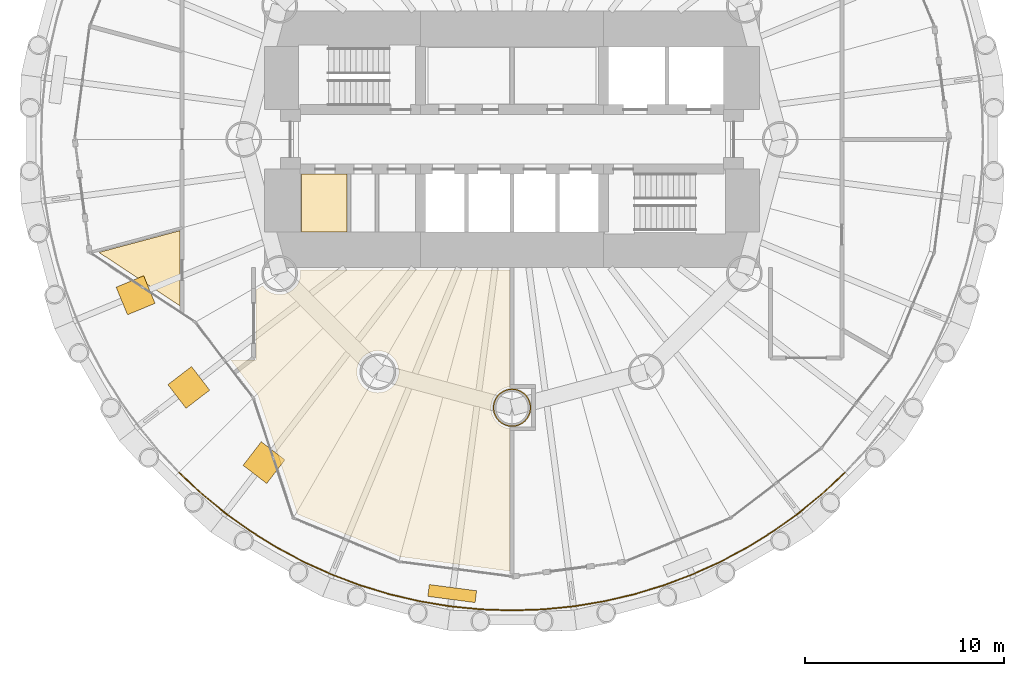
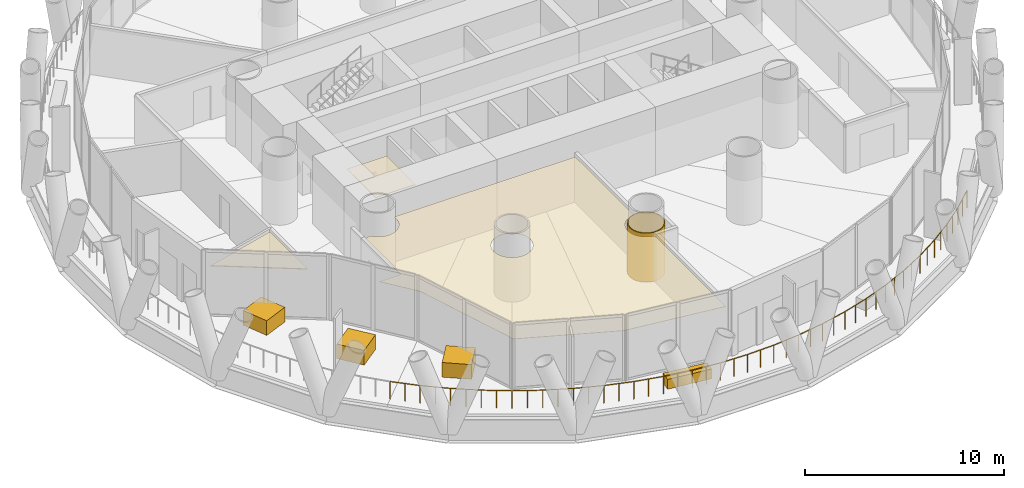
# One storey, part 11 of 14: 8 coverings, 1 railing.
"""IFC4 building model written with IfcOpenShell, lengths in metres."""

from ifc_helpers import new_model, si_unit, direction, frame, origin, origin_2d, place, context, subcontext, project, spatial, polyline, rectangle, circle, outline, extrude, material, layer, layer_set, type_object, element, save


model = new_model("IFC4")

# Units and contexts
model_context = context("Model", 3, precision=1e-05, world=origin(), true_north=direction((0.0, 1.0)))
body_context = subcontext(model_context, "Body", "Model", "MODEL_VIEW")
ifc_project = project(units=[si_unit("LENGTHUNIT", "METRE"), si_unit("AREAUNIT", "SQUARE_METRE"), si_unit("VOLUMEUNIT", "CUBIC_METRE"), si_unit("PLANEANGLEUNIT", "RADIAN"), si_unit("MASSUNIT", "GRAM", prefix="KILO")], contexts=[model_context])

# Site, building, storey
site_placement = place(None, origin())
site = spatial("IfcSite", under=ifc_project, at=site_placement, CompositionType="ELEMENT")
building_placement = place(site_placement, origin())
building = spatial("IfcBuilding", under=site, at=building_placement, Name="Qaws Media Tower", CompositionType="ELEMENT")
storey_placement = place(building_placement, frame((0.0, 0.0, 185.60009765625)))
storey = spatial("IfcBuildingStorey", under=building, at=storey_placement, Name="L42", CompositionType="ELEMENT", Elevation=185.60009765625)

# Covering
ifc_material_1 = material(Name="40 perforated acoustic panels with mineral wool backing, suspended", Category="mineral fibre")
ifc_layer_1 = layer(ifc_material_1, 0.0400390625)
ifc_layer_set_1 = layer_set([ifc_layer_1], Name="Acoustic panel ceiling 40")
covering_type_1 = type_object("IfcCoveringType", Name="Acoustic panel ceiling 40", PredefinedType="CEILING", material=ifc_layer_set_1)
covering_1_placement = place(storey_placement, frame((0.0, 0.0, 2.849853515625)))
element("IfcCovering", 1, at=covering_1_placement, inside=storey, type_object=covering_type_1, Name="CL3 ceiling L42-05 Meeting room", PredefinedType="CEILING", context=body_context, shape_type="SweptSolid", body=[
    extrude(outline(polyline([(43.28759765625, 45.405517578125), (43.28759765625, 41.62744140625), (39.214111328125, 44.31396484375), (43.28759765625, 45.405517578125)])), origin(), (0.0, 0.0, 1.0), 0.0400390625),
])

# Railing
ifc_material_2 = material(Name="Stainless steel and glass guard", Category="steel")
railing_type = type_object("IfcRailingType", Name="Balcony guard 1100", PredefinedType="GUARDRAIL", material=ifc_material_2)
railing_placement = place(storey_placement, frame((43.241455078125, 33.241455078125, 0.0)))
element("IfcRailing", 2, at=railing_placement, inside=storey, type_object=railing_type, Name="GR1 balcony guard L42-3", PredefinedType="GUARDRAIL", context=body_context, shape_type="SweptSolid", body=[
    extrude(circle(Radius=0.02392578125, at=origin_2d()), frame((0.0, 0.0, 1.076171875), z_axis=(0.729944527227, -0.683506391464, 0.0), x_axis=(0.683506391464, 0.729944527227, 0.0)), (0.0, 0.0, 1.0), 1.551025390625),
    extrude(circle(Radius=0.02392578125, at=origin_2d()), frame((1.132080078125, -1.06005859375, 1.076171875), z_axis=(0.772974388283, -0.634437227043, 0.0), x_axis=(0.634437227043, 0.772974388283, 0.0)), (0.0, 0.0, 1.0), 1.55078125),
    extrude(circle(Radius=0.02392578125, at=origin_2d()), frame((2.330810546875, -2.0439453125, 1.076171875), z_axis=(0.812881717162, -0.582428805867, 0.0), x_axis=(0.582428805867, 0.812881717162, 0.0)), (0.0, 0.0, 1.0), 1.551025390625),
    extrude(circle(Radius=0.02392578125, at=origin_2d()), frame((3.591552734375, -2.947265625, 1.076171875), z_axis=(0.849146035889, -0.528158129479, 0.0), x_axis=(0.528158129479, 0.849146035889, 0.0)), (0.0, 0.0, 1.0), 1.55078125),
    extrude(circle(Radius=0.02392578125, at=origin_2d()), frame((4.908447265625, -3.766357421875, 1.076171875), z_axis=(0.881977923457, -0.471290719763, 0.0), x_axis=(0.471290719763, 0.881977923457, 0.0)), (0.0, 0.0, 1.0), 1.551025390625),
    extrude(circle(Radius=0.02392578125, at=origin_2d()), frame((6.2763671875, -4.497314453125, 1.076171875), z_axis=(0.910840299851, -0.412758946804, 0.0), x_axis=(0.412758946804, 0.910840299851, 0.0)), (0.0, 0.0, 1.0), 1.55078125),
    extrude(circle(Radius=0.02392578125, at=origin_2d()), frame((7.68896484375, -5.137451171875, 1.076171875), z_axis=(0.935933927522, -0.352175642703, 0.0), x_axis=(0.352175642703, 0.935933927522, 0.0)), (0.0, 0.0, 1.0), 1.55078125),
    extrude(circle(Radius=0.02392578125, at=origin_2d()), frame((9.140380859375, -5.68359375, 1.076171875), z_axis=(0.956942281167, -0.290278263937, 0.0), x_axis=(0.290278263937, 0.956942281167, 0.0)), (0.0, 0.0, 1.0), 1.551025390625),
    extrude(circle(Radius=0.02392578125, at=origin_2d()), frame((10.62451171875, -6.1337890625, 1.076171875), z_axis=(0.97386326504, -0.22713507216, 0.0), x_axis=(0.22713507216, 0.97386326504, 0.0)), (0.0, 0.0, 1.0), 1.551025390625),
    extrude(circle(Radius=0.02392578125, at=origin_2d()), frame((12.135009765625, -6.486083984375, 1.076171875), z_axis=(0.98663538303, -0.162943612803, 0.0), x_axis=(0.162943612803, 0.98663538303, 0.0)), (0.0, 0.0, 1.0), 1.55078125),
    extrude(circle(Radius=0.02392578125, at=origin_2d()), frame((13.6650390625, -6.73876953125, 1.076171875), z_axis=(0.995194896556, -0.097913828797, 0.0), x_axis=(0.097913828797, 0.995194896556, 0.0)), (0.0, 0.0, 1.0), 1.551025390625),
    extrude(circle(Radius=0.02392578125, at=origin_2d()), frame((15.20849609375, -6.890625, 1.076171875), z_axis=(0.999463787912, -0.032743497856, 0.0), x_axis=(0.032743497856, 0.999463787912, 0.0)), (0.0, 0.0, 1.0), 1.55078125),
    extrude(circle(Radius=0.02392578125, at=origin_2d()), frame((16.758544921875, -6.94140625, 1.076171875), z_axis=(0.999463787912, 0.032743497856, 0.0), x_axis=(-0.032743497856, 0.999463787912, 0.0)), (0.0, 0.0, 1.0), 1.55078125),
    extrude(circle(Radius=0.02392578125, at=origin_2d()), frame((18.30859375, -6.890625, 1.076171875), z_axis=(0.995194896556, 0.097913828797, 0.0), x_axis=(-0.097913828797, 0.995194896556, 0.0)), (0.0, 0.0, 1.0), 1.551025390625),
    extrude(circle(Radius=0.02392578125, at=origin_2d()), frame((19.85205078125, -6.73876953125, 1.076171875), z_axis=(0.98663538303, 0.162943612803, 0.0), x_axis=(-0.162943612803, 0.98663538303, 0.0)), (0.0, 0.0, 1.0), 1.55078125),
    extrude(circle(Radius=0.02392578125, at=origin_2d()), frame((21.382080078125, -6.486083984375, 1.076171875), z_axis=(0.97386326504, 0.22713507216, 0.0), x_axis=(-0.22713507216, 0.97386326504, 0.0)), (0.0, 0.0, 1.0), 1.551025390625),
    extrude(circle(Radius=0.02392578125, at=origin_2d()), frame((22.892578125, -6.1337890625, 1.076171875), z_axis=(0.956942281167, 0.290278263937, 0.0), x_axis=(-0.290278263937, 0.956942281167, 0.0)), (0.0, 0.0, 1.0), 1.551025390625),
    extrude(circle(Radius=0.02392578125, at=origin_2d()), frame((24.376708984375, -5.68359375, 1.076171875), z_axis=(0.935933927522, 0.352175642703, 0.0), x_axis=(-0.352175642703, 0.935933927522, 0.0)), (0.0, 0.0, 1.0), 1.55078125),
    extrude(circle(Radius=0.02392578125, at=origin_2d()), frame((25.828125, -5.137451171875, 1.076171875), z_axis=(0.910840299851, 0.412758946804, 0.0), x_axis=(-0.412758946804, 0.910840299851, 0.0)), (0.0, 0.0, 1.0), 1.55078125),
    extrude(circle(Radius=0.02392578125, at=origin_2d()), frame((27.24072265625, -4.497314453125, 1.076171875), z_axis=(0.881977923457, 0.471290719763, 0.0), x_axis=(-0.471290719763, 0.881977923457, 0.0)), (0.0, 0.0, 1.0), 1.551025390625),
    extrude(circle(Radius=0.02392578125, at=origin_2d()), frame((28.608642578125, -3.766357421875, 1.076171875), z_axis=(0.849146035889, 0.528158129479, 0.0), x_axis=(-0.528158129479, 0.849146035889, 0.0)), (0.0, 0.0, 1.0), 1.55078125),
    extrude(circle(Radius=0.02392578125, at=origin_2d()), frame((29.925537109375, -2.947265625, 1.076171875), z_axis=(0.812881717162, 0.582428805867, 0.0), x_axis=(-0.582428805867, 0.812881717162, 0.0)), (0.0, 0.0, 1.0), 1.551025390625),
    extrude(circle(Radius=0.02392578125, at=origin_2d()), frame((31.186279296875, -2.0439453125, 1.076171875), z_axis=(0.772974388283, 0.634437227043, 0.0), x_axis=(-0.634437227043, 0.772974388283, 0.0)), (0.0, 0.0, 1.0), 1.55078125),
    extrude(circle(Radius=0.02392578125, at=origin_2d()), frame((32.385009765625, -1.06005859375, 1.076171875), z_axis=(0.729944527227, 0.683506391464, 0.0), x_axis=(-0.683506391464, 0.729944527227, 0.0)), (0.0, 0.0, 1.0), 1.551025390625),
    extrude(circle(Radius=0.02099609375, at=origin_2d()), origin(), (0.0, 0.0, 1.0), 1.052001953125),
    extrude(circle(Radius=0.02099609375, at=origin_2d()), frame((0.56591796875, -0.530029296875, 0.0)), (0.0, 0.0, 1.0), 1.052001953125),
    extrude(circle(Radius=0.02099609375, at=origin_2d()), frame((1.132080078125, -1.06005859375, 0.0)), (0.0, 0.0, 1.0), 1.052001953125),
    extrude(circle(Radius=0.02099609375, at=origin_2d()), frame((1.7314453125, -1.552001953125, 0.0)), (0.0, 0.0, 1.0), 1.052001953125),
    extrude(circle(Radius=0.02099609375, at=origin_2d()), frame((2.330810546875, -2.0439453125, 0.0)), (0.0, 0.0, 1.0), 1.052001953125),
    extrude(circle(Radius=0.02099609375, at=origin_2d()), frame((2.961181640625, -2.49560546875, 0.0)), (0.0, 0.0, 1.0), 1.052001953125),
    extrude(circle(Radius=0.02099609375, at=origin_2d()), frame((3.591552734375, -2.947265625, 0.0)), (0.0, 0.0, 1.0), 1.052001953125),
    extrude(circle(Radius=0.02099609375, at=origin_2d()), frame((4.25, -3.35693359375, 0.0)), (0.0, 0.0, 1.0), 1.052001953125),
    extrude(circle(Radius=0.02099609375, at=origin_2d()), frame((4.908447265625, -3.766357421875, 0.0)), (0.0, 0.0, 1.0), 1.052001953125),
    extrude(circle(Radius=0.02099609375, at=origin_2d()), frame((5.59228515625, -4.1318359375, 0.0)), (0.0, 0.0, 1.0), 1.052001953125),
    extrude(circle(Radius=0.02099609375, at=origin_2d()), frame((6.2763671875, -4.497314453125, 0.0)), (0.0, 0.0, 1.0), 1.052001953125),
    extrude(circle(Radius=0.02099609375, at=origin_2d()), frame((6.982666015625, -4.8173828125, 0.0)), (0.0, 0.0, 1.0), 1.052001953125),
    extrude(circle(Radius=0.02099609375, at=origin_2d()), frame((7.68896484375, -5.137451171875, 0.0)), (0.0, 0.0, 1.0), 1.052001953125),
    extrude(circle(Radius=0.02099609375, at=origin_2d()), frame((8.41455078125, -5.41064453125, 0.0)), (0.0, 0.0, 1.0), 1.052001953125),
    extrude(circle(Radius=0.02099609375, at=origin_2d()), frame((9.140380859375, -5.68359375, 0.0)), (0.0, 0.0, 1.0), 1.052001953125),
    extrude(circle(Radius=0.02099609375, at=origin_2d()), frame((9.88232421875, -5.90869140625, 0.0)), (0.0, 0.0, 1.0), 1.052001953125),
    extrude(circle(Radius=0.02099609375, at=origin_2d()), frame((10.62451171875, -6.1337890625, 0.0)), (0.0, 0.0, 1.0), 1.052001953125),
    extrude(circle(Radius=0.02099609375, at=origin_2d()), frame((11.3798828125, -6.31005859375, 0.0)), (0.0, 0.0, 1.0), 1.052001953125),
    extrude(circle(Radius=0.02099609375, at=origin_2d()), frame((12.135009765625, -6.486083984375, 0.0)), (0.0, 0.0, 1.0), 1.052001953125),
    extrude(circle(Radius=0.02099609375, at=origin_2d()), frame((12.89990234375, -6.6123046875, 0.0)), (0.0, 0.0, 1.0), 1.052001953125),
    extrude(circle(Radius=0.02099609375, at=origin_2d()), frame((13.6650390625, -6.73876953125, 0.0)), (0.0, 0.0, 1.0), 1.052001953125),
    extrude(circle(Radius=0.02099609375, at=origin_2d()), frame((14.436767578125, -6.814697265625, 0.0)), (0.0, 0.0, 1.0), 1.052001953125),
    extrude(circle(Radius=0.02099609375, at=origin_2d()), frame((15.20849609375, -6.890625, 0.0)), (0.0, 0.0, 1.0), 1.052001953125),
    extrude(circle(Radius=0.02099609375, at=origin_2d()), frame((15.9833984375, -6.916015625, 0.0)), (0.0, 0.0, 1.0), 1.052001953125),
    extrude(circle(Radius=0.02099609375, at=origin_2d()), frame((16.758544921875, -6.94140625, 0.0)), (0.0, 0.0, 1.0), 1.052001953125),
    extrude(circle(Radius=0.02099609375, at=origin_2d()), frame((17.53369140625, -6.916015625, 0.0)), (0.0, 0.0, 1.0), 1.052001953125),
    extrude(circle(Radius=0.02099609375, at=origin_2d()), frame((18.30859375, -6.890625, 0.0)), (0.0, 0.0, 1.0), 1.052001953125),
    extrude(circle(Radius=0.02099609375, at=origin_2d()), frame((19.080322265625, -6.814697265625, 0.0)), (0.0, 0.0, 1.0), 1.052001953125),
    extrude(circle(Radius=0.02099609375, at=origin_2d()), frame((19.85205078125, -6.73876953125, 0.0)), (0.0, 0.0, 1.0), 1.052001953125),
    extrude(circle(Radius=0.02099609375, at=origin_2d()), frame((20.6171875, -6.6123046875, 0.0)), (0.0, 0.0, 1.0), 1.052001953125),
    extrude(circle(Radius=0.02099609375, at=origin_2d()), frame((21.382080078125, -6.486083984375, 0.0)), (0.0, 0.0, 1.0), 1.052001953125),
    extrude(circle(Radius=0.02099609375, at=origin_2d()), frame((22.13720703125, -6.31005859375, 0.0)), (0.0, 0.0, 1.0), 1.052001953125),
    extrude(circle(Radius=0.02099609375, at=origin_2d()), frame((22.892578125, -6.1337890625, 0.0)), (0.0, 0.0, 1.0), 1.052001953125),
    extrude(circle(Radius=0.02099609375, at=origin_2d()), frame((23.634765625, -5.90869140625, 0.0)), (0.0, 0.0, 1.0), 1.052001953125),
    extrude(circle(Radius=0.02099609375, at=origin_2d()), frame((24.376708984375, -5.68359375, 0.0)), (0.0, 0.0, 1.0), 1.052001953125),
    extrude(circle(Radius=0.02099609375, at=origin_2d()), frame((25.1025390625, -5.41064453125, 0.0)), (0.0, 0.0, 1.0), 1.052001953125),
    extrude(circle(Radius=0.02099609375, at=origin_2d()), frame((25.828125, -5.137451171875, 0.0)), (0.0, 0.0, 1.0), 1.052001953125),
    extrude(circle(Radius=0.02099609375, at=origin_2d()), frame((26.534423828125, -4.8173828125, 0.0)), (0.0, 0.0, 1.0), 1.052001953125),
    extrude(circle(Radius=0.02099609375, at=origin_2d()), frame((27.24072265625, -4.497314453125, 0.0)), (0.0, 0.0, 1.0), 1.052001953125),
    extrude(circle(Radius=0.02099609375, at=origin_2d()), frame((27.9248046875, -4.1318359375, 0.0)), (0.0, 0.0, 1.0), 1.052001953125),
    extrude(circle(Radius=0.02099609375, at=origin_2d()), frame((28.608642578125, -3.766357421875, 0.0)), (0.0, 0.0, 1.0), 1.052001953125),
    extrude(circle(Radius=0.02099609375, at=origin_2d()), frame((29.26708984375, -3.35693359375, 0.0)), (0.0, 0.0, 1.0), 1.052001953125),
    extrude(circle(Radius=0.02099609375, at=origin_2d()), frame((29.925537109375, -2.947265625, 0.0)), (0.0, 0.0, 1.0), 1.052001953125),
    extrude(circle(Radius=0.02099609375, at=origin_2d()), frame((30.555908203125, -2.49560546875, 0.0)), (0.0, 0.0, 1.0), 1.052001953125),
    extrude(circle(Radius=0.02099609375, at=origin_2d()), frame((31.186279296875, -2.0439453125, 0.0)), (0.0, 0.0, 1.0), 1.052001953125),
    extrude(circle(Radius=0.02099609375, at=origin_2d()), frame((31.78564453125, -1.552001953125, 0.0)), (0.0, 0.0, 1.0), 1.052001953125),
    extrude(circle(Radius=0.02099609375, at=origin_2d()), frame((32.385009765625, -1.06005859375, 0.0)), (0.0, 0.0, 1.0), 1.052001953125),
    extrude(circle(Radius=0.02099609375, at=origin_2d()), frame((32.951171875, -0.530029296875, 0.0)), (0.0, 0.0, 1.0), 1.052001953125),
    extrude(circle(Radius=0.02099609375, at=origin_2d()), frame((33.51708984375, 0.0, 0.0)), (0.0, 0.0, 1.0), 1.052001953125),
])

# Coverings
ifc_material_3 = material(Name="Two layers 15 fire-rated gypsum board on steel framing", Category="steel")
ifc_layer_2 = layer(ifc_material_3, 0.050048828125)
ifc_layer_set_2 = layer_set([ifc_layer_2], Name="Column fire casing")
covering_type_2 = type_object("IfcCoveringType", Name="Column fire casing", PredefinedType="CLADDING", material=ifc_layer_set_2)
covering_2_placement = place(storey_placement, origin())
element("IfcCovering", 3, at=covering_2_placement, inside=storey, type_object=covering_type_2, Name="CC1 column casing L42", PredefinedType="CLADDING", context=body_context, shape_type="SweptSolid", body=[
    extrude(outline(polyline([(60.955078125, 36.5), (60.94677734375, 36.375244140625), (60.922607421875, 36.252685546875), (60.88232421875, 36.134521484375), (60.8271484375, 36.0224609375), (60.7578125, 35.918701171875), (60.67529296875, 35.82470703125), (60.581298828125, 35.7421875), (60.4775390625, 35.6728515625), (60.365478515625, 35.61767578125), (60.247314453125, 35.577392578125), (60.124755859375, 35.55322265625), (60.0, 35.544921875), (59.875244140625, 35.55322265625), (59.752685546875, 35.577392578125), (59.634521484375, 35.61767578125), (59.5224609375, 35.6728515625), (59.418701171875, 35.7421875), (59.32470703125, 35.82470703125), (59.2421875, 35.918701171875), (59.1728515625, 36.0224609375), (59.11767578125, 36.134521484375), (59.077392578125, 36.252685546875), (59.05322265625, 36.375244140625), (59.044921875, 36.5), (59.05322265625, 36.624755859375), (59.077392578125, 36.747314453125), (59.11767578125, 36.865478515625), (59.1728515625, 36.9775390625), (59.2421875, 37.081298828125), (59.32470703125, 37.17529296875), (59.418701171875, 37.2578125), (59.5224609375, 37.3271484375), (59.634521484375, 37.38232421875), (59.752685546875, 37.422607421875), (59.875244140625, 37.44677734375), (60.0, 37.455078125), (60.124755859375, 37.44677734375), (60.247314453125, 37.422607421875), (60.365478515625, 37.38232421875), (60.4775390625, 37.3271484375), (60.581298828125, 37.2578125), (60.67529296875, 37.17529296875), (60.7578125, 37.081298828125), (60.8271484375, 36.9775390625), (60.88232421875, 36.865478515625), (60.922607421875, 36.747314453125), (60.94677734375, 36.624755859375), (60.955078125, 36.5)]), holes=[polyline([(60.903076171875, 36.5), (60.895263671875, 36.382080078125), (60.872314453125, 36.266357421875), (60.834228515625, 36.154296875), (60.781982421875, 36.048583984375), (60.71630859375, 35.9501953125), (60.638427734375, 35.861572265625), (60.5498046875, 35.78369140625), (60.451416015625, 35.718017578125), (60.345703125, 35.665771484375), (60.233642578125, 35.627685546875), (60.117919921875, 35.604736328125), (60.0, 35.596923828125), (59.882080078125, 35.604736328125), (59.766357421875, 35.627685546875), (59.654296875, 35.665771484375), (59.548583984375, 35.718017578125), (59.4501953125, 35.78369140625), (59.361572265625, 35.861572265625), (59.28369140625, 35.9501953125), (59.218017578125, 36.048583984375), (59.165771484375, 36.154296875), (59.127685546875, 36.266357421875), (59.104736328125, 36.382080078125), (59.096923828125, 36.5), (59.104736328125, 36.617919921875), (59.127685546875, 36.733642578125), (59.165771484375, 36.845703125), (59.218017578125, 36.951416015625), (59.28369140625, 37.0498046875), (59.361572265625, 37.138427734375), (59.4501953125, 37.21630859375), (59.548583984375, 37.281982421875), (59.654296875, 37.334228515625), (59.766357421875, 37.372314453125), (59.882080078125, 37.395263671875), (60.0, 37.403076171875), (60.117919921875, 37.395263671875), (60.233642578125, 37.372314453125), (60.345703125, 37.334228515625), (60.451416015625, 37.281982421875), (60.5498046875, 37.21630859375), (60.638427734375, 37.138427734375), (60.71630859375, 37.0498046875), (60.781982421875, 36.951416015625), (60.834228515625, 36.845703125), (60.872314453125, 36.733642578125), (60.895263671875, 36.617919921875), (60.903076171875, 36.5)])]), origin(), (0.0, 0.0, 1.0), 3.011962890625),
])
ifc_material_4 = material(Name="600 x 600 mineral fibre tiles in exposed grid, suspended", Category="mineral fibre")
ifc_layer_3 = layer(ifc_material_4, 0.02001953125)
ifc_layer_set_3 = layer_set([ifc_layer_3], Name="Mineral fibre tile ceiling 20")
covering_type_3 = type_object("IfcCoveringType", Name="Mineral fibre tile ceiling 20", PredefinedType="CEILING", material=ifc_layer_set_3)
covering_3_placement = place(storey_placement, frame((0.0, 0.0, 2.849853515625)))
element("IfcCovering", 4, at=covering_3_placement, inside=storey, type_object=covering_type_3, Name="CL1 ceiling L42-06 Marketing office", PredefinedType="CEILING", context=body_context, shape_type="SweptSolid", body=[
    extrude(outline(polyline([(54.37451171875, 29.00537109375), (49.211181640625, 31.14404296875), (47.224365234375, 37.114013671875), (45.863525390625, 38.887451171875), (47.112548828125, 38.887451171875), (47.112548828125, 42.429443359375), (47.453369140625, 42.626220703125), (47.4677734375, 42.604736328125), (47.55908203125, 42.50048828125), (47.663330078125, 42.408935546875), (47.77880859375, 42.33203125), (47.903076171875, 42.270751953125), (48.0341796875, 42.22607421875), (48.17041015625, 42.19921875), (48.30859375, 42.18994140625), (48.447021484375, 42.19921875), (48.5830078125, 42.22607421875), (48.71435546875, 42.270751953125), (48.838623046875, 42.33203125), (48.953857421875, 42.408935546875), (49.05810546875, 42.50048828125), (49.149658203125, 42.604736328125), (49.2265625, 42.719970703125), (49.2880859375, 42.844482421875), (49.33251953125, 42.9755859375), (49.359619140625, 43.111572265625), (49.36865234375, 43.25), (49.359619140625, 43.388427734375), (49.349853515625, 43.4375), (59.887451171875, 43.4375), (59.887451171875, 37.552490234375), (59.861572265625, 37.55078125), (59.7255859375, 37.52392578125), (59.594482421875, 37.479248046875), (59.469970703125, 37.41796875), (59.354736328125, 37.341064453125), (59.25048828125, 37.24951171875), (59.158935546875, 37.145263671875), (59.08203125, 37.030029296875), (59.020751953125, 36.905517578125), (58.97607421875, 36.7744140625), (58.94921875, 36.638427734375), (58.93994140625, 36.5), (58.94921875, 36.361572265625), (58.97607421875, 36.2255859375), (59.020751953125, 36.094482421875), (59.08203125, 35.969970703125), (59.158935546875, 35.854736328125), (59.25048828125, 35.75048828125), (59.354736328125, 35.658935546875), (59.469970703125, 35.58203125), (59.594482421875, 35.520751953125), (59.7255859375, 35.47607421875), (59.861572265625, 35.44921875), (59.887451171875, 35.447509765625), (59.887451171875, 28.279541015625), (54.37451171875, 29.00537109375)]), holes=[polyline([(54.27392578125, 38.0341796875), (54.30078125, 38.17041015625), (54.31005859375, 38.30859375), (54.30078125, 38.447021484375), (54.27392578125, 38.5830078125), (54.229248046875, 38.71435546875), (54.16796875, 38.838623046875), (54.091064453125, 38.953857421875), (53.99951171875, 39.05810546875), (53.895263671875, 39.149658203125), (53.780029296875, 39.2265625), (53.655517578125, 39.2880859375), (53.5244140625, 39.33251953125), (53.388427734375, 39.359619140625), (53.25, 39.36865234375), (53.111572265625, 39.359619140625), (52.9755859375, 39.33251953125), (52.844482421875, 39.2880859375), (52.719970703125, 39.2265625), (52.604736328125, 39.149658203125), (52.50048828125, 39.05810546875), (52.408935546875, 38.953857421875), (52.33203125, 38.838623046875), (52.270751953125, 38.71435546875), (52.22607421875, 38.5830078125), (52.19921875, 38.447021484375), (52.18994140625, 38.30859375), (52.19921875, 38.17041015625), (52.22607421875, 38.0341796875), (52.270751953125, 37.903076171875), (52.33203125, 37.77880859375), (52.408935546875, 37.663330078125), (52.50048828125, 37.55908203125), (52.604736328125, 37.4677734375), (52.719970703125, 37.390625), (52.844482421875, 37.329345703125), (52.9755859375, 37.284912109375), (53.111572265625, 37.2578125), (53.25, 37.248779296875), (53.388427734375, 37.2578125), (53.5244140625, 37.284912109375), (53.655517578125, 37.329345703125), (53.780029296875, 37.390625), (53.895263671875, 37.4677734375), (53.99951171875, 37.55908203125), (54.091064453125, 37.663330078125), (54.16796875, 37.77880859375), (54.229248046875, 37.903076171875), (54.27392578125, 38.0341796875)])]), origin(), (0.0, 0.0, 1.0), 0.02001953125),
])
ifc_material_5 = material(Name="Precast concrete planter with trailing planting", Category="concrete")
ifc_layer_4 = layer(ifc_material_5, 0.60009765625)
ifc_layer_set_4 = layer_set([ifc_layer_4], Name="Planter 2400x600")
covering_type_4 = type_object("IfcCoveringType", Name="Planter 2400x600", PredefinedType="USERDEFINED", material=ifc_layer_set_4)
covering_4_placement = place(storey_placement, frame((56.991455078125, 27.147216796875, -0.000244140625), z_axis=(0.0, 0.0, 1.0), x_axis=(0.991444861374, -0.13052619222, 0.0)))
element("IfcCovering", 5, at=covering_4_placement, inside=storey, type_object=covering_type_4, Name="PL1 balcony planter L42-09", ObjectType="PLANTER", PredefinedType="USERDEFINED", context=body_context, shape_type="SweptSolid", body=[
    extrude(rectangle(XDim=2.39990234375, YDim=0.60009765625, at=origin_2d()), origin(), (0.0, 0.0, 1.0), 0.60009765625),
])
ifc_material_6 = material(Name="Two layers 12.5 moisture-resistant plasterboard on suspended metal furring", Category="gypsum")
ifc_layer_5 = layer(ifc_material_6, 0.02490234375)
ifc_layer_set_5 = layer_set([ifc_layer_5], Name="Plasterboard ceiling 25")
covering_type_5 = type_object("IfcCoveringType", Name="Plasterboard ceiling 25", PredefinedType="CEILING", material=ifc_layer_set_5)
covering_5_placement = place(storey_placement, frame((0.0, 0.0, 2.849853515625)))
element("IfcCovering", 6, at=covering_5_placement, inside=storey, type_object=covering_type_5, Name="CL2 ceiling L42-C04 Accessible WC", PredefinedType="CEILING", context=body_context, shape_type="SweptSolid", body=[
    extrude(outline(polyline([(49.39990234375, 45.35009765625), (49.39990234375, 48.25), (51.699951171875, 48.25), (51.699951171875, 45.35009765625), (49.39990234375, 45.35009765625)])), origin(), (0.0, 0.0, 1.0), 0.025146484375),
])
ifc_material_7 = material(Name="Precast concrete tree planter", Category="concrete")
ifc_layer_6 = layer(ifc_material_7, 0.89990234375)
ifc_layer_set_6 = layer_set([ifc_layer_6], Name="Tree planter 1500")
covering_type_6 = type_object("IfcCoveringType", Name="Tree planter 1500", PredefinedType="USERDEFINED", material=ifc_layer_set_6)
for number, where, z_axis, x_axis, name in (
    (7, (41.060546875, 42.155029296875, 0.0), (0.0, 0.0, 1.0), (-0.923879532511, -0.382683432365, 0.0), "PL2 sky garden tree planter L42-1"),
    (8, (43.736328125, 37.5205078125, 0.0), (0.0, 0.0, 1.0), (-0.793353340291, -0.608761429009, 0.0), "PL2 sky garden tree planter L42-2"),
    (9, (47.5205078125, 33.736328125, 0.0), (0.0, 0.0, 1.0), (-0.608761429009, -0.793353340291, 0.0), "PL2 sky garden tree planter L42-3"),
):
    element("IfcCovering", number, at=place(storey_placement, frame(where, z_axis=z_axis, x_axis=x_axis)), inside=storey, type_object=covering_type_6, Name=name, ObjectType="PLANTER", PredefinedType="USERDEFINED", context=body_context, shape_type="SweptSolid", body=[
        extrude(rectangle(XDim=1.5, YDim=1.5, at=origin_2d()), origin(), (0.0, 0.0, 1.0), 0.89990234375),
    ])

save(model, "model.ifc")
